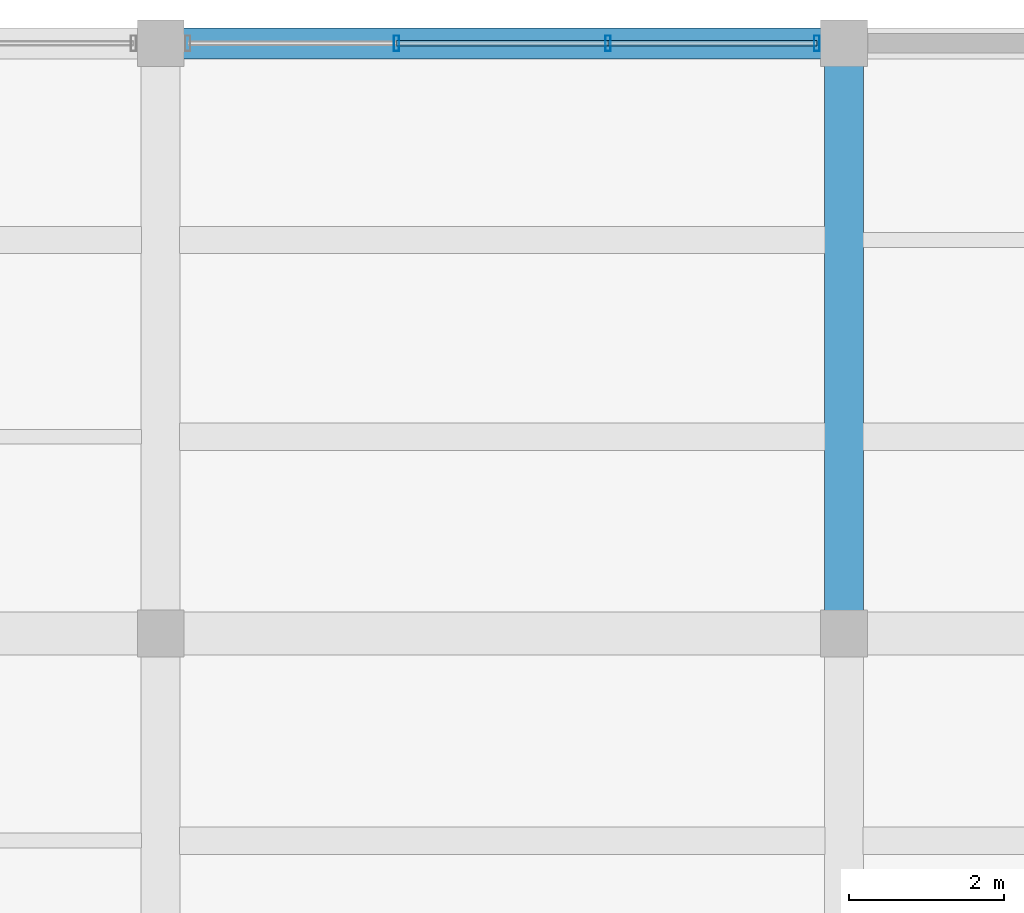
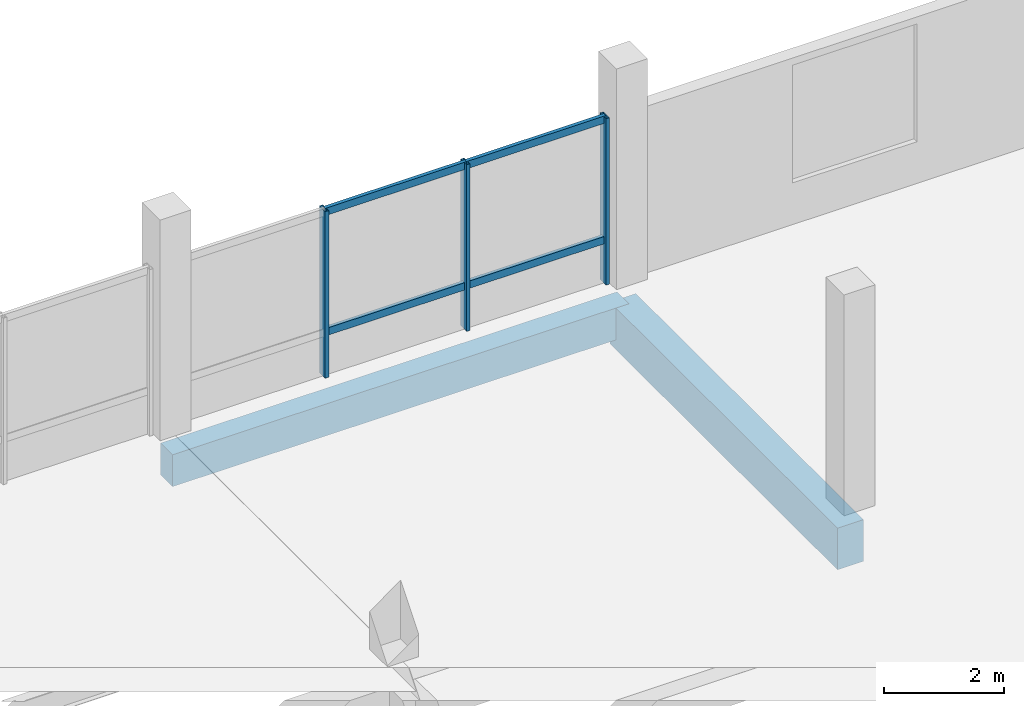
# One storey, part 47 of 77: 7 members, 2 beams, 1 element without a shape of its own.
"""IFC4 building model written with IfcOpenShell, lengths in metres."""

from ifc_helpers import new_model, si_unit, direction, frame, origin, origin_2d, place, context, subcontext, project, spatial, rectangle, hollow_rectangle, extrude, material, layer, layer_set, material_profile, profile_set, type_object, element, aggregate, save


model = new_model("IFC4")

# Units and contexts
model_context = context("Model", 3, precision=1e-05, world=origin(), true_north=direction((0.0, 1.0)))
body_context = subcontext(model_context, "Body", "Model", "MODEL_VIEW")
ifc_project = project(units=[si_unit("LENGTHUNIT", "METRE"), si_unit("AREAUNIT", "SQUARE_METRE"), si_unit("VOLUMEUNIT", "CUBIC_METRE"), si_unit("PLANEANGLEUNIT", "RADIAN"), si_unit("MASSUNIT", "GRAM", prefix="KILO")], contexts=[model_context])

# Site, building, storey
site_placement = place(None, origin())
site = spatial("IfcSite", under=ifc_project, at=site_placement, CompositionType="ELEMENT")
building_placement = place(site_placement, origin())
building = spatial("IfcBuilding", under=site, at=building_placement, Name="Meriwether Solvik Hall", CompositionType="ELEMENT")
storey_placement = place(building_placement, frame((0.0, 0.0, 9.89990234375)))
storey = spatial("IfcBuildingStorey", under=building, at=storey_placement, Name="L02", CompositionType="ELEMENT", Elevation=9.89990234375)

# Beams
ifc_material_1 = material(Name="Concrete C40/50", Category="concrete")
ifc_material_profile_1 = material_profile(ifc_material_1, rectangle(XDim=0.39990234375, YDim=0.64990234375, at=origin_2d()), Name="RCB-400X650")
ifc_profile_set_1 = profile_set([ifc_material_profile_1], Name="Concrete C40/50")
beam_type_1 = type_object("IfcBeamType", Name="BM-RC-400X650", PredefinedType="SPANDREL", material=ifc_profile_set_1)
beam_1_placement = place(storey_placement, frame((114.199951171875, 116.800048828125, -0.77490234375), z_axis=(1.0, 0.0, 0.0), x_axis=(0.0, 1.0, 0.0)))
element("IfcBeam", 1, at=beam_1_placement, inside=storey, type_object=beam_type_1, Name="Podium Girder N:13-14 (L02)", PredefinedType="SPANDREL", context=body_context, shape_type="SweptSolid", body=[
    extrude(rectangle(XDim=0.39990234375, YDim=0.64990234375, at=origin_2d()), origin(), (0.0, 0.0, 1.0), 8.800048828125),
])
ifc_material_2 = material(Name="Concrete C40/50", Category="concrete")
ifc_material_profile_2 = material_profile(ifc_material_2, rectangle(XDim=0.5, YDim=0.85009765625, at=origin_2d()), Name="RCB-500X850")
ifc_profile_set_2 = profile_set([ifc_material_profile_2], Name="Concrete C40/50")
beam_type_2 = type_object("IfcBeamType", Name="BM-RC-500X850", PredefinedType="BEAM", material=ifc_profile_set_2)
beam_2_placement = place(storey_placement, frame((123.0, 109.199951171875, -0.875), z_axis=(0.0, 1.0, 0.0), x_axis=(-1.0, 0.0, 0.0)))
element("IfcBeam", 2, at=beam_2_placement, inside=storey, type_object=beam_type_2, Name="Podium Girder 14:M-N (L02)", PredefinedType="BEAM", context=body_context, shape_type="SweptSolid", body=[
    extrude(rectangle(XDim=0.5, YDim=0.85009765625, at=origin_2d()), origin(), (0.0, 0.0, 1.0), 7.60009765625),
])

# Curtain wall, members
ifc_material_3 = material(Name="Thermally Broken Anodised Aluminium 6063-T6 and Low-E Glass", Category="aluminium")
ifc_layer = layer(ifc_material_3, 0.179931640625)
ifc_layer_set = layer_set([ifc_layer], Name="Thermally Broken Anodised Aluminium 6063-T6 and Low-E Glass")
curtain_wall_type = type_object("IfcCurtainWallType", Name="CW-SF-POD-C", PredefinedType="USERDEFINED", material=ifc_layer_set)
curtain_wall_placement = place(storey_placement, origin())
curtain_wall = element("IfcCurtainWall", 3, at=curtain_wall_placement, inside=storey, type_object=curtain_wall_type, Name="Curtain Wall wing_XN_13_18 (L02)", ObjectType="STICK STOREFRONT GLAZING", PredefinedType="USERDEFINED")
ifc_material_4 = material(Name="Anodised Aluminium 6063-T6", Category="aluminium")
ifc_material_profile_3 = material_profile(ifc_material_4, hollow_rectangle(XDim=0.070068359375, YDim=0.199951171875, WallThickness=0.0048828125, at=origin_2d()), Name="CWM-70X200")
ifc_profile_set_3 = profile_set([ifc_material_profile_3], Name="Anodised Aluminium 6063-T6")
member_type_1 = type_object("IfcMemberType", Name="CW-MUL-70X200", PredefinedType="MULLION", material=ifc_profile_set_3)
member_1_placement = place(storey_placement, frame((117.2373046875, 116.800048828125, 0.0), z_axis=(0.0, 0.0, 1.0), x_axis=(1.0, 0.0, 0.0)))
member_1 = element("IfcMember", 4, at=member_1_placement, type_object=member_type_1, Name="Curtain Wall Mullion 2", PredefinedType="MULLION", context=body_context, shape_type="SweptSolid", body=[
    extrude(hollow_rectangle(XDim=0.070068359375, YDim=0.199951171875, WallThickness=0.0048828125, at=origin_2d()), origin(), (0.0, 0.0, 1.0), 3.39501953125),
])
member_2_placement = place(storey_placement, frame((119.962646484375, 116.800048828125, 0.0), z_axis=(0.0, 0.0, 1.0), x_axis=(1.0, 0.0, 0.0)))
member_2 = element("IfcMember", 5, at=member_2_placement, type_object=member_type_1, Name="Curtain Wall Mullion 3", PredefinedType="MULLION", context=body_context, shape_type="SweptSolid", body=[
    extrude(hollow_rectangle(XDim=0.070068359375, YDim=0.199951171875, WallThickness=0.0048828125, at=origin_2d()), origin(), (0.0, 0.0, 1.0), 3.39501953125),
])
member_3_placement = place(storey_placement, frame((122.64990234375, 116.800048828125, 0.0), z_axis=(0.0, 0.0, 1.0), x_axis=(1.0, 0.0, 0.0)))
member_3 = element("IfcMember", 6, at=member_3_placement, type_object=member_type_1, Name="Curtain Wall Mullion 4", PredefinedType="MULLION", context=body_context, shape_type="SweptSolid", body=[
    extrude(hollow_rectangle(XDim=0.070068359375, YDim=0.199951171875, WallThickness=0.0048828125, at=origin_2d()), origin(), (0.0, 0.0, 1.0), 3.39501953125),
])
ifc_material_5 = material(Name="Anodised Aluminium 6063-T6", Category="aluminium")
ifc_material_profile_4 = material_profile(ifc_material_5, hollow_rectangle(XDim=0.070068359375, YDim=0.14990234375, WallThickness=0.0048828125, at=origin_2d()), Name="CWT-70X150")
ifc_profile_set_4 = profile_set([ifc_material_profile_4], Name="Anodised Aluminium 6063-T6")
member_type_2 = type_object("IfcMemberType", Name="CW-TRN-70X150", PredefinedType="USERDEFINED", material=ifc_profile_set_4)
member_4_placement = place(storey_placement, frame((117.2373046875, 116.800048828125, 0.880126953125), z_axis=(1.0, 0.0, 0.0), x_axis=(0.0, 1.0, 0.0)))
member_4 = element("IfcMember", 7, at=member_4_placement, type_object=member_type_2, Name="Curtain Wall Transom 2-sill", ObjectType="TRANSOM", PredefinedType="USERDEFINED", context=body_context, shape_type="SweptSolid", body=[
    extrude(hollow_rectangle(XDim=0.070068359375, YDim=0.14990234375, WallThickness=0.0048828125, at=origin_2d()), origin(), (0.0, 0.0, 1.0), 2.725341796875),
])
member_5_placement = place(storey_placement, frame((117.2373046875, 116.800048828125, 3.335205078125), z_axis=(1.0, 0.0, 0.0), x_axis=(0.0, 1.0, 0.0)))
member_5 = element("IfcMember", 8, at=member_5_placement, type_object=member_type_2, Name="Curtain Wall Transom 2-head", ObjectType="TRANSOM", PredefinedType="USERDEFINED", context=body_context, shape_type="SweptSolid", body=[
    extrude(hollow_rectangle(XDim=0.070068359375, YDim=0.14990234375, WallThickness=0.0048828125, at=origin_2d()), origin(), (0.0, 0.0, 1.0), 2.725341796875),
])
member_6_placement = place(storey_placement, frame((119.962646484375, 116.800048828125, 0.880126953125), z_axis=(1.0, 0.0, 0.0), x_axis=(0.0, 1.0, 0.0)))
member_6 = element("IfcMember", 9, at=member_6_placement, type_object=member_type_2, Name="Curtain Wall Transom 3-sill", ObjectType="TRANSOM", PredefinedType="USERDEFINED", context=body_context, shape_type="SweptSolid", body=[
    extrude(hollow_rectangle(XDim=0.070068359375, YDim=0.14990234375, WallThickness=0.0048828125, at=origin_2d()), origin(), (0.0, 0.0, 1.0), 2.687255859375),
])
member_7_placement = place(storey_placement, frame((119.962646484375, 116.800048828125, 3.335205078125), z_axis=(1.0, 0.0, 0.0), x_axis=(0.0, 1.0, 0.0)))
member_7 = element("IfcMember", 10, at=member_7_placement, type_object=member_type_2, Name="Curtain Wall Transom 3-head", ObjectType="TRANSOM", PredefinedType="USERDEFINED", context=body_context, shape_type="SweptSolid", body=[
    extrude(hollow_rectangle(XDim=0.070068359375, YDim=0.14990234375, WallThickness=0.0048828125, at=origin_2d()), origin(), (0.0, 0.0, 1.0), 2.687255859375),
])
aggregate(curtain_wall, [member_1, member_2, member_3, member_4, member_5, member_6, member_7])

save(model, "model.ifc")
